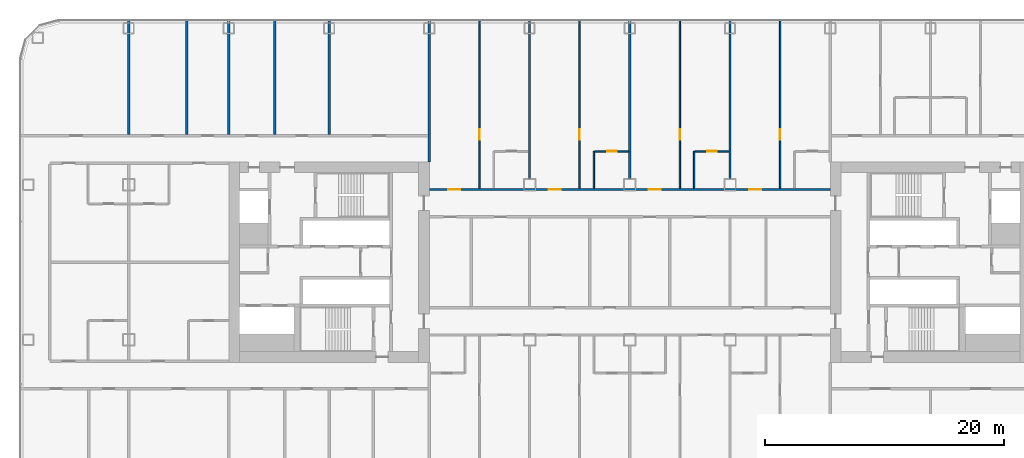
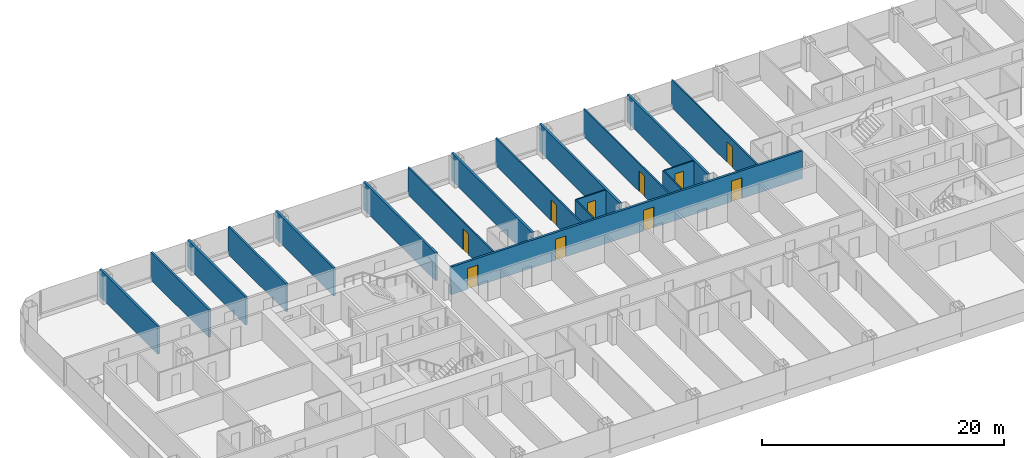
# One storey, part 16 of 28: 18 walls, 10 doors, 10 openings.
"""IFC4 building model written with IfcOpenShell, lengths in metres."""

from ifc_helpers import new_model, si_unit, direction, frame, frame_2d, origin, place, context, subcontext, project, spatial, rectangle, extrude, material, layer, layer_set, type_object, element, fill, save


model = new_model("IFC4")

# Units and contexts
model_context = context("Model", 3, precision=1e-05, world=origin(), true_north=direction((0.0, 1.0)))
body_context = subcontext(model_context, "Body", "Model", "MODEL_VIEW")
ifc_project = project(units=[si_unit("LENGTHUNIT", "METRE"), si_unit("AREAUNIT", "SQUARE_METRE"), si_unit("VOLUMEUNIT", "CUBIC_METRE"), si_unit("PLANEANGLEUNIT", "RADIAN"), si_unit("MASSUNIT", "GRAM", prefix="KILO")], contexts=[model_context])

# Site, building, storey
site_placement = place(None, origin())
site = spatial("IfcSite", under=ifc_project, at=site_placement, CompositionType="ELEMENT")
building_placement = place(site_placement, origin())
building = spatial("IfcBuilding", under=site, at=building_placement, Name="Hakoniwa Tower and Hamabe Station Hall", CompositionType="ELEMENT")
storey_placement = place(building_placement, frame((0.0, 0.0, 48.60009765625)))
storey = spatial("IfcBuildingStorey", under=building, at=storey_placement, Name="L13", CompositionType="ELEMENT", Elevation=48.60009765625)

# Wall, opening, door
ifc_material_1 = material(Name="Gypsum board partition", Category="gypsum")
ifc_layer_1 = layer(ifc_material_1, 0.125)
ifc_layer_set_1 = layer_set([ifc_layer_1], Name="Bathroom Partition 125")
wall_type_1 = type_object("IfcWallType", Name="Bathroom Partition 125", PredefinedType="PARTITIONING", material=ifc_layer_set_1)
wall_1_placement = place(storey_placement, frame((-2.9375, 9.300048828125, 0.0), z_axis=(0.0, 0.0, 1.0), x_axis=(1.0, 0.0, 0.0)))
wall_1 = element("IfcWall", 1, at=wall_1_placement, inside=storey, type_object=wall_type_1, Name="GW-L13-024", PredefinedType="PARTITIONING", context=body_context, shape_type="SweptSolid", body=[
    extrude(rectangle(XDim=2.83740234375, YDim=0.125, at=frame_2d((1.418701171875, 0.0))), origin(), (0.0, 0.0, 1.0), 2.7998046875),
])
opening_1_placement = place(wall_1_placement, frame((1.03759765625, 0.0, 0.0)))
opening_1 = element("IfcOpeningElement", 2, at=opening_1_placement, cuts=wall_1, Name="Opening GD-G1E1-48", PredefinedType="OPENING", context=body_context, shape_type="SweptSolid", body=[
    extrude(rectangle(XDim=0.800048828125, YDim=2.10009765625, at=frame_2d((0.39990234375, 1.050048828125))), frame((0.0, 0.072509765625, 0.0), z_axis=(0.0, -1.0, 0.0), x_axis=(1.0, 0.0, 0.0)), (0.0, 0.0, 1.0), 0.14501953125),
])
ifc_material_2 = material(Name="Timber door leaf", Category="wood")
door_type_1 = type_object("IfcDoorType", Name="Bathroom Door 800", OperationType="SINGLE_SWING_LEFT", PredefinedType="DOOR", material=ifc_material_2)
door_1_placement = place(opening_1_placement, origin())
door_1 = element("IfcDoor", 3, at=door_1_placement, inside=storey, type_object=door_type_1, Name="Door GD-G1E1-48", OperationType="SINGLE_SWING_LEFT", OverallHeight=2.10009765625, OverallWidth=0.800048828125, PredefinedType="DOOR", context=body_context, shape_type="SweptSolid", body=[
    extrude(rectangle(XDim=0.800048828125, YDim=2.10009765625, at=frame_2d((0.39990234375, 1.050048828125))), frame((0.0, 0.02490234375, 0.0), z_axis=(0.0, -1.0, 0.0), x_axis=(1.0, 0.0, 0.0)), (0.0, 0.0, 1.0), 0.050048828125),
])
fill(opening_1, door_1)

wall_2_placement = place(storey_placement, frame((5.46240234375, 9.300048828125, 0.0), z_axis=(0.0, 0.0, 1.0), x_axis=(1.0, 0.0, 0.0)))
wall_2 = element("IfcWall", 4, at=wall_2_placement, inside=storey, type_object=wall_type_1, Name="GW-L13-025", PredefinedType="PARTITIONING", context=body_context, shape_type="SweptSolid", body=[
    extrude(rectangle(XDim=2.837646484375, YDim=0.125, at=frame_2d((1.4189453125, 0.0))), origin(), (0.0, 0.0, 1.0), 2.7998046875),
])
opening_2_placement = place(wall_2_placement, frame((1.03759765625, 0.0, 0.0)))
opening_2 = element("IfcOpeningElement", 5, at=opening_2_placement, cuts=wall_2, Name="Opening GD-G1E1-49", PredefinedType="OPENING", context=body_context, shape_type="SweptSolid", body=[
    extrude(rectangle(XDim=0.800048828125, YDim=2.10009765625, at=frame_2d((0.39990234375, 1.050048828125))), frame((0.0, 0.072509765625, 0.0), z_axis=(0.0, -1.0, 0.0), x_axis=(1.0, 0.0, 0.0)), (0.0, 0.0, 1.0), 0.14501953125),
])
door_2_placement = place(opening_2_placement, origin())
door_2 = element("IfcDoor", 6, at=door_2_placement, inside=storey, type_object=door_type_1, Name="Door GD-G1E1-49", OperationType="SINGLE_SWING_RIGHT", OverallHeight=2.10009765625, OverallWidth=0.800048828125, PredefinedType="DOOR", context=body_context, shape_type="SweptSolid", body=[
    extrude(rectangle(XDim=0.800048828125, YDim=2.10009765625, at=frame_2d((0.39990234375, 1.050048828125))), frame((0.0, 0.02490234375, 0.0), z_axis=(0.0, -1.0, 0.0), x_axis=(1.0, 0.0, 0.0)), (0.0, 0.0, 1.0), 0.050048828125),
])
fill(opening_2, door_2)

# Walls
for number, where, z_axis, x_axis, name in (
    (7, (-3.0, 6.199951171875, 0.0), (0.0, 0.0, 1.0), (0.0, 1.0, 0.0), "GW-L13-063"),
    (8, (5.39990234375, 6.199951171875, 0.0), (0.0, 0.0, 1.0), (0.0, 1.0, 0.0), "GW-L13-071"),
):
    element("IfcWall", number, at=place(storey_placement, frame(where, z_axis=z_axis, x_axis=x_axis)), inside=storey, type_object=wall_type_1, Name=name, PredefinedType="PARTITIONING", context=body_context, shape_type="SweptSolid", body=[
        extrude(rectangle(XDim=3.10009765625, YDim=0.125, at=frame_2d((1.550048828125, 0.0))), origin(), (0.0, 0.0, 1.0), 2.7998046875),
    ])

# Wall, openings, doors
ifc_material_3 = material(Name="Fire-rated gypsum board partition", Category="gypsum")
ifc_layer_2 = layer(ifc_material_3, 0.199951171875)
ifc_layer_set_2 = layer_set([ifc_layer_2], Name="Corridor Wall 200")
wall_type_2 = type_object("IfcWallType", Name="Corridor Wall 200", PredefinedType="PARTITIONING", material=ifc_layer_set_2)
wall_3_placement = place(storey_placement, frame((-16.800048828125, 6.10009765625, 0.0), z_axis=(0.0, 0.0, 1.0), x_axis=(1.0, 0.0, 0.0)))
wall_3 = element("IfcWall", 9, at=wall_3_placement, inside=storey, type_object=wall_type_2, Name="GW-L13-020", PredefinedType="PARTITIONING", context=body_context, shape_type="SweptSolid", body=[
    extrude(rectangle(XDim=33.60009765625, YDim=0.199951171875, at=frame_2d((16.800048828125, 0.0))), origin(), (0.0, 0.0, 1.0), 2.7998046875),
])
opening_3_placement = place(wall_3_placement, frame((1.60009765625, 0.0, 0.0)))
opening_3 = element("IfcOpeningElement", 10, at=opening_3_placement, cuts=wall_3, Name="Opening GD-G1E1-39", PredefinedType="OPENING", context=body_context, shape_type="SweptSolid", body=[
    extrude(rectangle(XDim=1.0, YDim=2.10009765625, at=frame_2d((0.5, 1.050048828125))), frame((0.0, 0.10986328125, 0.0), z_axis=(0.0, -1.0, 0.0), x_axis=(1.0, 0.0, 0.0)), (0.0, 0.0, 1.0), 0.219970703125),
])
opening_4_placement = place(wall_3_placement, frame((10.0, 0.0, 0.0)))
opening_4 = element("IfcOpeningElement", 11, at=opening_4_placement, cuts=wall_3, Name="Opening GD-G1E1-40", PredefinedType="OPENING", context=body_context, shape_type="SweptSolid", body=[
    extrude(rectangle(XDim=1.0, YDim=2.10009765625, at=frame_2d((0.5, 1.050048828125))), frame((0.0, 0.10986328125, 0.0), z_axis=(0.0, -1.0, 0.0), x_axis=(1.0, 0.0, 0.0)), (0.0, 0.0, 1.0), 0.219970703125),
])
opening_5_placement = place(wall_3_placement, frame((18.39990234375, 0.0, 0.0)))
opening_5 = element("IfcOpeningElement", 12, at=opening_5_placement, cuts=wall_3, Name="Opening GD-G1E1-41", PredefinedType="OPENING", context=body_context, shape_type="SweptSolid", body=[
    extrude(rectangle(XDim=1.0, YDim=2.10009765625, at=frame_2d((0.5, 1.050048828125))), frame((0.0, 0.10986328125, 0.0), z_axis=(0.0, -1.0, 0.0), x_axis=(1.0, 0.0, 0.0)), (0.0, 0.0, 1.0), 0.219970703125),
])
opening_6_placement = place(wall_3_placement, frame((26.800048828125, 0.0, 0.0)))
opening_6 = element("IfcOpeningElement", 13, at=opening_6_placement, cuts=wall_3, Name="Opening GD-G1E1-42", PredefinedType="OPENING", context=body_context, shape_type="SweptSolid", body=[
    extrude(rectangle(XDim=1.0, YDim=2.10009765625, at=frame_2d((0.5, 1.050048828125))), frame((0.0, 0.10986328125, 0.0), z_axis=(0.0, -1.0, 0.0), x_axis=(1.0, 0.0, 0.0)), (0.0, 0.0, 1.0), 0.219970703125),
])
ifc_material_4 = material(Name="Timber door leaf", Category="wood")
door_type_2 = type_object("IfcDoorType", Name="Guest Entrance Door 1000", OperationType="SINGLE_SWING_LEFT", PredefinedType="DOOR", material=ifc_material_4)
door_3_placement = place(opening_3_placement, origin())
door_3 = element("IfcDoor", 14, at=door_3_placement, inside=storey, type_object=door_type_2, Name="Door GD-G1E1-39", OperationType="SINGLE_SWING_LEFT", OverallHeight=2.10009765625, OverallWidth=1.0, PredefinedType="DOOR", context=body_context, shape_type="SweptSolid", body=[
    extrude(rectangle(XDim=1.0, YDim=2.10009765625, at=frame_2d((0.5, 1.050048828125))), frame((0.0, 0.02490234375, 0.0), z_axis=(0.0, -1.0, 0.0), x_axis=(1.0, 0.0, 0.0)), (0.0, 0.0, 1.0), 0.050048828125),
])
fill(opening_3, door_3)
door_4_placement = place(opening_4_placement, origin())
door_4 = element("IfcDoor", 15, at=door_4_placement, inside=storey, type_object=door_type_2, Name="Door GD-G1E1-40", OperationType="SINGLE_SWING_LEFT", OverallHeight=2.10009765625, OverallWidth=1.0, PredefinedType="DOOR", context=body_context, shape_type="SweptSolid", body=[
    extrude(rectangle(XDim=1.0, YDim=2.10009765625, at=frame_2d((0.5, 1.050048828125))), frame((0.0, 0.02490234375, 0.0), z_axis=(0.0, -1.0, 0.0), x_axis=(1.0, 0.0, 0.0)), (0.0, 0.0, 1.0), 0.050048828125),
])
fill(opening_4, door_4)
door_5_placement = place(opening_5_placement, origin())
door_5 = element("IfcDoor", 16, at=door_5_placement, inside=storey, type_object=door_type_2, Name="Door GD-G1E1-41", OperationType="SINGLE_SWING_LEFT", OverallHeight=2.10009765625, OverallWidth=1.0, PredefinedType="DOOR", context=body_context, shape_type="SweptSolid", body=[
    extrude(rectangle(XDim=1.0, YDim=2.10009765625, at=frame_2d((0.5, 1.050048828125))), frame((0.0, 0.02490234375, 0.0), z_axis=(0.0, -1.0, 0.0), x_axis=(1.0, 0.0, 0.0)), (0.0, 0.0, 1.0), 0.050048828125),
])
fill(opening_5, door_5)
door_6_placement = place(opening_6_placement, origin())
door_6 = element("IfcDoor", 17, at=door_6_placement, inside=storey, type_object=door_type_2, Name="Door GD-G1E1-42", OperationType="SINGLE_SWING_LEFT", OverallHeight=2.10009765625, OverallWidth=1.0, PredefinedType="DOOR", context=body_context, shape_type="SweptSolid", body=[
    extrude(rectangle(XDim=1.0, YDim=2.10009765625, at=frame_2d((0.5, 1.050048828125))), frame((0.0, 0.02490234375, 0.0), z_axis=(0.0, -1.0, 0.0), x_axis=(1.0, 0.0, 0.0)), (0.0, 0.0, 1.0), 0.050048828125),
])
fill(opening_6, door_6)

# Walls
ifc_material_5 = material(Name="Fire-rated gypsum board partition", Category="gypsum")
ifc_layer_3 = layer(ifc_material_5, 0.199951171875)
ifc_layer_set_3 = layer_set([ifc_layer_3], Name="Party Wall 200")
wall_type_3 = type_object("IfcWallType", Name="Party Wall 200", PredefinedType="PARTITIONING", material=ifc_layer_set_3)
for number, where, z_axis, x_axis, name in (
    (18, (-42.0, 10.699951171875, 0.0), (0.0, 0.0, 1.0), (0.0, 1.0, 0.0), "GW-L13-038"),
    (19, (-37.1298828125, 10.699951171875, 0.0), (0.0, 0.0, 1.0), (0.0, 1.0, 0.0), "GW-L13-040"),
    (20, (-33.60009765625, 10.699951171875, 0.0), (0.0, 0.0, 1.0), (0.0, 1.0, 0.0), "GW-L13-043"),
    (21, (-29.739990234375, 10.699951171875, 0.0), (0.0, 0.0, 1.0), (0.0, 1.0, 0.0), "GW-L13-044"),
    (22, (-25.199951171875, 10.699951171875, 0.0), (0.0, 0.0, 1.0), (0.0, 1.0, 0.0), "GW-L13-047"),
):
    element("IfcWall", number, at=place(storey_placement, frame(where, z_axis=z_axis, x_axis=x_axis)), inside=storey, type_object=wall_type_3, Name=name, PredefinedType="PARTITIONING", context=body_context, shape_type="SweptSolid", body=[
        extrude(rectangle(XDim=9.60009765625, YDim=0.199951171875, at=frame_2d((4.800048828125, 0.0))), origin(), (0.0, 0.0, 1.0), 2.7998046875),
    ])
wall_4_placement = place(storey_placement, frame((-16.800048828125, 8.389892578125, 0.0), z_axis=(0.0, 0.0, 1.0), x_axis=(0.0, 1.0, 0.0)))
element("IfcWall", 23, at=wall_4_placement, inside=storey, type_object=wall_type_3, Name="GW-L13-050", PredefinedType="PARTITIONING", context=body_context, shape_type="SweptSolid", body=[
    extrude(rectangle(XDim=11.91015625, YDim=0.199951171875, at=frame_2d((5.955078125, 0.0))), origin(), (0.0, 0.0, 1.0), 2.7998046875),
])
for number, where, z_axis, x_axis, name in (
    (24, (-8.39990234375, 6.989990234375, 0.0), (0.0, 0.0, 1.0), (0.0, 1.0, 0.0), "GW-L13-058"),
    (25, (0.0, 6.989990234375, 0.0), (0.0, 0.0, 1.0), (0.0, 1.0, 0.0), "GW-L13-066"),
    (26, (8.39990234375, 6.989990234375, 0.0), (0.0, 0.0, 1.0), (0.0, 1.0, 0.0), "GW-L13-074"),
):
    element("IfcWall", number, at=place(storey_placement, frame(where, z_axis=z_axis, x_axis=x_axis)), inside=storey, type_object=wall_type_3, Name=name, PredefinedType="PARTITIONING", context=body_context, shape_type="SweptSolid", body=[
        extrude(rectangle(XDim=13.31005859375, YDim=0.199951171875, at=frame_2d((6.655029296875, 0.0))), origin(), (0.0, 0.0, 1.0), 2.7998046875),
    ])

# Wall, opening, door
ifc_material_6 = material(Name="Gypsum board partition", Category="gypsum")
ifc_layer_4 = layer(ifc_material_6, 0.125)
ifc_layer_set_4 = layer_set([ifc_layer_4], Name="Room Partition 125")
wall_type_4 = type_object("IfcWallType", Name="Room Partition 125", PredefinedType="PARTITIONING", material=ifc_layer_set_4)
wall_5_placement = place(storey_placement, frame((-12.60009765625, 6.199951171875, 0.0), z_axis=(0.0, 0.0, 1.0), x_axis=(0.0, 1.0, 0.0)))
wall_5 = element("IfcWall", 27, at=wall_5_placement, inside=storey, type_object=wall_type_4, Name="GW-L13-054", PredefinedType="PARTITIONING", context=body_context, shape_type="SweptSolid", body=[
    extrude(rectangle(XDim=14.10009765625, YDim=0.125, at=frame_2d((7.050048828125, 0.0))), origin(), (0.0, 0.0, 1.0), 2.7998046875),
])
opening_7_placement = place(wall_5_placement, frame((4.050048828125, 0.0, 0.0)))
opening_7 = element("IfcOpeningElement", 28, at=opening_7_placement, cuts=wall_5, Name="Opening GD-G1E1-66", PredefinedType="OPENING", context=body_context, shape_type="SweptSolid", body=[
    extrude(rectangle(XDim=0.89990234375, YDim=2.10009765625, at=frame_2d((0.449951171875, 1.050048828125))), frame((0.0, 0.072509765625, 0.0), z_axis=(0.0, -1.0, 0.0), x_axis=(1.0, 0.0, 0.0)), (0.0, 0.0, 1.0), 0.14501953125),
])
ifc_material_7 = material(Name="Timber door leaf", Category="wood")
door_type_3 = type_object("IfcDoorType", Name="Suite Interior Door 900", OperationType="SINGLE_SWING_LEFT", PredefinedType="DOOR", material=ifc_material_7)
door_7_placement = place(opening_7_placement, origin())
door_7 = element("IfcDoor", 29, at=door_7_placement, inside=storey, type_object=door_type_3, Name="Door GD-G1E1-66", OperationType="SINGLE_SWING_LEFT", OverallHeight=2.10009765625, OverallWidth=0.89990234375, PredefinedType="DOOR", context=body_context, shape_type="SweptSolid", body=[
    extrude(rectangle(XDim=0.89990234375, YDim=2.10009765625, at=frame_2d((0.449951171875, 1.050048828125))), frame((0.0, 0.02490234375, 0.0), z_axis=(0.0, -1.0, 0.0), x_axis=(1.0, 0.0, 0.0)), (0.0, 0.0, 1.0), 0.050048828125),
])
fill(opening_7, door_7)

wall_6_placement = place(storey_placement, frame((-4.199951171875, 6.199951171875, 0.0), z_axis=(0.0, 0.0, 1.0), x_axis=(0.0, 1.0, 0.0)))
wall_6 = element("IfcWall", 30, at=wall_6_placement, inside=storey, type_object=wall_type_4, Name="GW-L13-060", PredefinedType="PARTITIONING", context=body_context, shape_type="SweptSolid", body=[
    extrude(rectangle(XDim=14.10009765625, YDim=0.125, at=frame_2d((7.050048828125, 0.0))), origin(), (0.0, 0.0, 1.0), 2.7998046875),
])
opening_8_placement = place(wall_6_placement, frame((4.050048828125, 0.0, 0.0)))
opening_8 = element("IfcOpeningElement", 31, at=opening_8_placement, cuts=wall_6, Name="Opening GD-G1E1-68", PredefinedType="OPENING", context=body_context, shape_type="SweptSolid", body=[
    extrude(rectangle(XDim=0.89990234375, YDim=2.10009765625, at=frame_2d((0.449951171875, 1.050048828125))), frame((0.0, 0.072509765625, 0.0), z_axis=(0.0, -1.0, 0.0), x_axis=(1.0, 0.0, 0.0)), (0.0, 0.0, 1.0), 0.14501953125),
])
door_8_placement = place(opening_8_placement, origin())
door_8 = element("IfcDoor", 32, at=door_8_placement, inside=storey, type_object=door_type_3, Name="Door GD-G1E1-68", OperationType="SINGLE_SWING_LEFT", OverallHeight=2.10009765625, OverallWidth=0.89990234375, PredefinedType="DOOR", context=body_context, shape_type="SweptSolid", body=[
    extrude(rectangle(XDim=0.89990234375, YDim=2.10009765625, at=frame_2d((0.449951171875, 1.050048828125))), frame((0.0, 0.02490234375, 0.0), z_axis=(0.0, -1.0, 0.0), x_axis=(1.0, 0.0, 0.0)), (0.0, 0.0, 1.0), 0.050048828125),
])
fill(opening_8, door_8)

wall_7_placement = place(storey_placement, frame((4.199951171875, 6.199951171875, 0.0), z_axis=(0.0, 0.0, 1.0), x_axis=(0.0, 1.0, 0.0)))
wall_7 = element("IfcWall", 33, at=wall_7_placement, inside=storey, type_object=wall_type_4, Name="GW-L13-070", PredefinedType="PARTITIONING", context=body_context, shape_type="SweptSolid", body=[
    extrude(rectangle(XDim=14.10009765625, YDim=0.125, at=frame_2d((7.050048828125, 0.0))), origin(), (0.0, 0.0, 1.0), 2.7998046875),
])
opening_9_placement = place(wall_7_placement, frame((4.050048828125, 0.0, 0.0)))
opening_9 = element("IfcOpeningElement", 34, at=opening_9_placement, cuts=wall_7, Name="Opening GD-G1E1-70", PredefinedType="OPENING", context=body_context, shape_type="SweptSolid", body=[
    extrude(rectangle(XDim=0.89990234375, YDim=2.10009765625, at=frame_2d((0.449951171875, 1.050048828125))), frame((0.0, 0.072509765625, 0.0), z_axis=(0.0, -1.0, 0.0), x_axis=(1.0, 0.0, 0.0)), (0.0, 0.0, 1.0), 0.14501953125),
])
door_9_placement = place(opening_9_placement, origin())
door_9 = element("IfcDoor", 35, at=door_9_placement, inside=storey, type_object=door_type_3, Name="Door GD-G1E1-70", OperationType="SINGLE_SWING_RIGHT", OverallHeight=2.10009765625, OverallWidth=0.89990234375, PredefinedType="DOOR", context=body_context, shape_type="SweptSolid", body=[
    extrude(rectangle(XDim=0.89990234375, YDim=2.10009765625, at=frame_2d((0.449951171875, 1.050048828125))), frame((0.0, 0.02490234375, 0.0), z_axis=(0.0, -1.0, 0.0), x_axis=(1.0, 0.0, 0.0)), (0.0, 0.0, 1.0), 0.050048828125),
])
fill(opening_9, door_9)

wall_8_placement = place(storey_placement, frame((12.60009765625, 6.199951171875, 0.0), z_axis=(0.0, 0.0, 1.0), x_axis=(0.0, 1.0, 0.0)))
wall_8 = element("IfcWall", 36, at=wall_8_placement, inside=storey, type_object=wall_type_4, Name="GW-L13-078", PredefinedType="PARTITIONING", context=body_context, shape_type="SweptSolid", body=[
    extrude(rectangle(XDim=14.10009765625, YDim=0.125, at=frame_2d((7.050048828125, 0.0))), origin(), (0.0, 0.0, 1.0), 2.7998046875),
])
opening_10_placement = place(wall_8_placement, frame((4.050048828125, 0.0, 0.0)))
opening_10 = element("IfcOpeningElement", 37, at=opening_10_placement, cuts=wall_8, Name="Opening GD-G1E1-72", PredefinedType="OPENING", context=body_context, shape_type="SweptSolid", body=[
    extrude(rectangle(XDim=0.89990234375, YDim=2.10009765625, at=frame_2d((0.449951171875, 1.050048828125))), frame((0.0, 0.072509765625, 0.0), z_axis=(0.0, -1.0, 0.0), x_axis=(1.0, 0.0, 0.0)), (0.0, 0.0, 1.0), 0.14501953125),
])
door_10_placement = place(opening_10_placement, origin())
door_10 = element("IfcDoor", 38, at=door_10_placement, inside=storey, type_object=door_type_3, Name="Door GD-G1E1-72", OperationType="SINGLE_SWING_RIGHT", OverallHeight=2.10009765625, OverallWidth=0.89990234375, PredefinedType="DOOR", context=body_context, shape_type="SweptSolid", body=[
    extrude(rectangle(XDim=0.89990234375, YDim=2.10009765625, at=frame_2d((0.449951171875, 1.050048828125))), frame((0.0, 0.02490234375, 0.0), z_axis=(0.0, -1.0, 0.0), x_axis=(1.0, 0.0, 0.0)), (0.0, 0.0, 1.0), 0.050048828125),
])
fill(opening_10, door_10)

save(model, "model.ifc")
